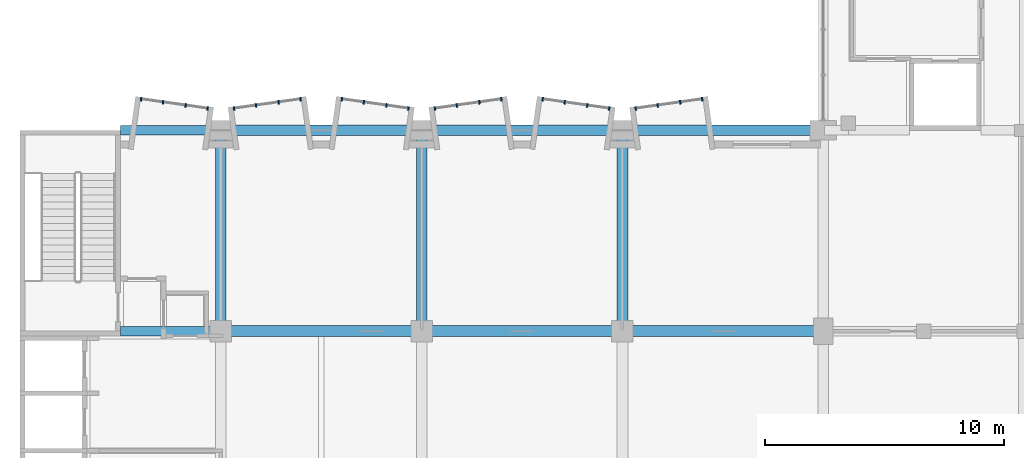
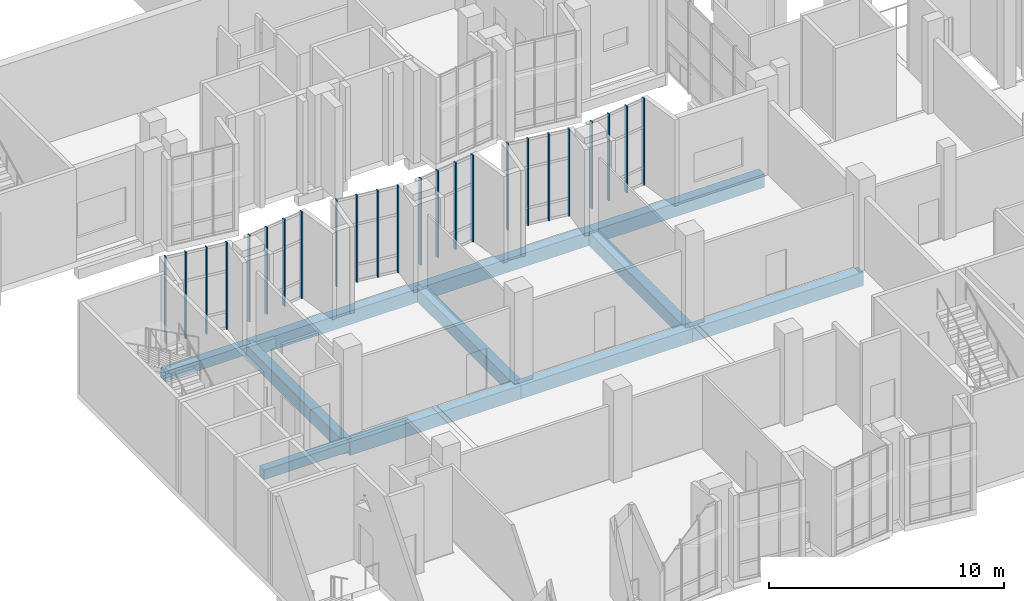
# One storey, part 4 of 91: 24 members, 11 beams, 6 elements without a shape of their own.
"""IFC4 building model written with IfcOpenShell, lengths in metres."""

from ifc_helpers import new_model, si_unit, direction, frame, origin, origin_2d, place, context, subcontext, project, spatial, rectangle, extrude, material, layer, layer_set, material_profile, profile_set, type_object, element, aggregate, save


model = new_model("IFC4")

# Units and contexts
model_context = context("Model", 3, precision=1e-05, world=origin(), true_north=direction((0.0, 1.0)))
body_context = subcontext(model_context, "Body", "Model", "MODEL_VIEW")
ifc_project = project(units=[si_unit("LENGTHUNIT", "METRE"), si_unit("AREAUNIT", "SQUARE_METRE"), si_unit("VOLUMEUNIT", "CUBIC_METRE"), si_unit("PLANEANGLEUNIT", "RADIAN"), si_unit("MASSUNIT", "GRAM", prefix="KILO")], contexts=[model_context])

# Site, building, storey
site_placement = place(None, origin())
site = spatial("IfcSite", under=ifc_project, at=site_placement, CompositionType="ELEMENT")
building_placement = place(site_placement, origin())
building = spatial("IfcBuilding", under=site, at=building_placement, Name="Kiln Court Media Centre", CompositionType="ELEMENT")
storey_placement = place(building_placement, frame((0.0, 0.0, 5.39990234375)))
storey = spatial("IfcBuildingStorey", under=building, at=storey_placement, Name="L01", CompositionType="ELEMENT", Elevation=5.39990234375)

# Curtain wall, members
ifc_material_1 = material(Name="Aluminium 6063-T6", Category="aluminium")
ifc_layer = layer(ifc_material_1, 0.1201171875)
ifc_layer_set = layer_set([ifc_layer], Name="Aluminium unitised bay curtain wall")
curtain_wall_type = type_object("IfcCurtainWallType", Name="Aluminium unitised bay curtain wall", PredefinedType="USERDEFINED", material=ifc_layer_set)
curtain_wall_1_placement = place(storey_placement, origin())
curtain_wall_1 = element("IfcCurtainWall", 1, at=curtain_wall_1_placement, inside=storey, type_object=curtain_wall_type, Name="BAY V6A-N-L01-02 front", ObjectType="UNITISED CURTAIN WALL", PredefinedType="USERDEFINED")
ifc_material_2 = material(Name="Aluminium 6063-T6", Category="aluminium")
ifc_material_profile_1 = material_profile(ifc_material_2, rectangle(XDim=0.06005859375, YDim=0.159912109375, at=origin_2d()), Name="Aluminium mullion 60x160")
ifc_profile_set_1 = profile_set([ifc_material_profile_1], Name="Aluminium 6063-T6")
member_type = type_object("IfcMemberType", Name="Aluminium mullion 60x160", PredefinedType="MULLION", material=ifc_profile_set_1)
member_1_placement = place(storey_placement, frame((5.064453125, 26.504638671875, 0.0), z_axis=(0.0, 0.0, 1.0), x_axis=(0.990269562409, -0.139162472554, 0.0)))
member_1 = element("IfcMember", 2, at=member_1_placement, type_object=member_type, Name="CW1-04 mullion 1", PredefinedType="MULLION", context=body_context, shape_type="SweptSolid", body=[
    extrude(rectangle(XDim=0.06005859375, YDim=0.159912109375, at=origin_2d()), origin(), (0.0, 0.0, 1.0), 4.5),
])
member_2_placement = place(storey_placement, frame((5.982177734375, 26.375732421875, 0.0), z_axis=(0.0, 0.0, 1.0), x_axis=(0.990269562409, -0.139162472554, 0.0)))
member_2 = element("IfcMember", 3, at=member_2_placement, type_object=member_type, Name="CW1-04 mullion 2", PredefinedType="MULLION", context=body_context, shape_type="SweptSolid", body=[
    extrude(rectangle(XDim=0.06005859375, YDim=0.159912109375, at=origin_2d()), origin(), (0.0, 0.0, 1.0), 4.5),
])
member_3_placement = place(storey_placement, frame((6.929443359375, 26.242431640625, 0.0), z_axis=(0.0, 0.0, 1.0), x_axis=(0.990269562409, -0.139162472554, 0.0)))
member_3 = element("IfcMember", 4, at=member_3_placement, type_object=member_type, Name="CW1-04 mullion 3", PredefinedType="MULLION", context=body_context, shape_type="SweptSolid", body=[
    extrude(rectangle(XDim=0.06005859375, YDim=0.159912109375, at=origin_2d()), origin(), (0.0, 0.0, 1.0), 4.5),
])
member_4_placement = place(storey_placement, frame((7.84716796875, 26.113525390625, 0.0), z_axis=(0.0, 0.0, 1.0), x_axis=(0.990269562409, -0.139162472554, 0.0)))
member_4 = element("IfcMember", 5, at=member_4_placement, type_object=member_type, Name="CW1-04 mullion 4", PredefinedType="MULLION", context=body_context, shape_type="SweptSolid", body=[
    extrude(rectangle(XDim=0.06005859375, YDim=0.159912109375, at=origin_2d()), origin(), (0.0, 0.0, 1.0), 4.5),
])
aggregate(curtain_wall_1, [member_1, member_2, member_3, member_4])

curtain_wall_2_placement = place(storey_placement, origin())
curtain_wall_2 = element("IfcCurtainWall", 6, at=curtain_wall_2_placement, inside=storey, type_object=curtain_wall_type, Name="BAY V6A-N-L01-03 front", ObjectType="UNITISED CURTAIN WALL", PredefinedType="USERDEFINED")
member_5_placement = place(storey_placement, frame((8.952880859375, 26.113525390625, 0.0), z_axis=(0.0, 0.0, 1.0), x_axis=(0.990269562409, 0.139162472554, 0.0)))
member_5 = element("IfcMember", 7, at=member_5_placement, type_object=member_type, Name="CW1-05 mullion 1", PredefinedType="MULLION", context=body_context, shape_type="SweptSolid", body=[
    extrude(rectangle(XDim=0.06005859375, YDim=0.159912109375, at=origin_2d()), origin(), (0.0, 0.0, 1.0), 4.5),
])
member_6_placement = place(storey_placement, frame((9.870361328125, 26.242431640625, 0.0), z_axis=(0.0, 0.0, 1.0), x_axis=(0.990269562409, 0.139162472554, 0.0)))
member_6 = element("IfcMember", 8, at=member_6_placement, type_object=member_type, Name="CW1-05 mullion 2", PredefinedType="MULLION", context=body_context, shape_type="SweptSolid", body=[
    extrude(rectangle(XDim=0.06005859375, YDim=0.159912109375, at=origin_2d()), origin(), (0.0, 0.0, 1.0), 4.5),
])
member_7_placement = place(storey_placement, frame((10.81787109375, 26.375732421875, 0.0), z_axis=(0.0, 0.0, 1.0), x_axis=(0.990269562409, 0.139162472554, 0.0)))
member_7 = element("IfcMember", 9, at=member_7_placement, type_object=member_type, Name="CW1-05 mullion 3", PredefinedType="MULLION", context=body_context, shape_type="SweptSolid", body=[
    extrude(rectangle(XDim=0.06005859375, YDim=0.159912109375, at=origin_2d()), origin(), (0.0, 0.0, 1.0), 4.5),
])
member_8_placement = place(storey_placement, frame((11.735595703125, 26.504638671875, 0.0), z_axis=(0.0, 0.0, 1.0), x_axis=(0.990269562409, 0.139162472554, 0.0)))
member_8 = element("IfcMember", 10, at=member_8_placement, type_object=member_type, Name="CW1-05 mullion 4", PredefinedType="MULLION", context=body_context, shape_type="SweptSolid", body=[
    extrude(rectangle(XDim=0.06005859375, YDim=0.159912109375, at=origin_2d()), origin(), (0.0, 0.0, 1.0), 4.5),
])
aggregate(curtain_wall_2, [member_5, member_6, member_7, member_8])

curtain_wall_3_placement = place(storey_placement, origin())
curtain_wall_3 = element("IfcCurtainWall", 11, at=curtain_wall_3_placement, inside=storey, type_object=curtain_wall_type, Name="BAY V6A-N-L01-04 front", ObjectType="UNITISED CURTAIN WALL", PredefinedType="USERDEFINED")
member_9_placement = place(storey_placement, frame((13.464599609375, 26.504638671875, 0.0), z_axis=(0.0, 0.0, 1.0), x_axis=(0.990269562409, -0.139162472554, 0.0)))
member_9 = element("IfcMember", 12, at=member_9_placement, type_object=member_type, Name="CW1-06 mullion 1", PredefinedType="MULLION", context=body_context, shape_type="SweptSolid", body=[
    extrude(rectangle(XDim=0.06005859375, YDim=0.159912109375, at=origin_2d()), origin(), (0.0, 0.0, 1.0), 4.5),
])
member_10_placement = place(storey_placement, frame((14.382080078125, 26.375732421875, 0.0), z_axis=(0.0, 0.0, 1.0), x_axis=(0.990269562409, -0.139162472554, 0.0)))
member_10 = element("IfcMember", 13, at=member_10_placement, type_object=member_type, Name="CW1-06 mullion 2", PredefinedType="MULLION", context=body_context, shape_type="SweptSolid", body=[
    extrude(rectangle(XDim=0.06005859375, YDim=0.159912109375, at=origin_2d()), origin(), (0.0, 0.0, 1.0), 4.5),
])
member_11_placement = place(storey_placement, frame((15.32958984375, 26.242431640625, 0.0), z_axis=(0.0, 0.0, 1.0), x_axis=(0.990269562409, -0.139162472554, 0.0)))
member_11 = element("IfcMember", 14, at=member_11_placement, type_object=member_type, Name="CW1-06 mullion 3", PredefinedType="MULLION", context=body_context, shape_type="SweptSolid", body=[
    extrude(rectangle(XDim=0.06005859375, YDim=0.159912109375, at=origin_2d()), origin(), (0.0, 0.0, 1.0), 4.5),
])
member_12_placement = place(storey_placement, frame((16.2470703125, 26.113525390625, 0.0), z_axis=(0.0, 0.0, 1.0), x_axis=(0.990269562409, -0.139162472554, 0.0)))
member_12 = element("IfcMember", 15, at=member_12_placement, type_object=member_type, Name="CW1-06 mullion 4", PredefinedType="MULLION", context=body_context, shape_type="SweptSolid", body=[
    extrude(rectangle(XDim=0.06005859375, YDim=0.159912109375, at=origin_2d()), origin(), (0.0, 0.0, 1.0), 4.5),
])
aggregate(curtain_wall_3, [member_9, member_10, member_11, member_12])

curtain_wall_4_placement = place(storey_placement, origin())
curtain_wall_4 = element("IfcCurtainWall", 16, at=curtain_wall_4_placement, inside=storey, type_object=curtain_wall_type, Name="BAY V6A-N-L01-05 front", ObjectType="UNITISED CURTAIN WALL", PredefinedType="USERDEFINED")
member_13_placement = place(storey_placement, frame((17.352783203125, 26.113525390625, 0.0), z_axis=(0.0, 0.0, 1.0), x_axis=(0.990269562409, 0.139162472554, 0.0)))
member_13 = element("IfcMember", 17, at=member_13_placement, type_object=member_type, Name="CW1-07 mullion 1", PredefinedType="MULLION", context=body_context, shape_type="SweptSolid", body=[
    extrude(rectangle(XDim=0.06005859375, YDim=0.159912109375, at=origin_2d()), origin(), (0.0, 0.0, 1.0), 4.5),
])
member_14_placement = place(storey_placement, frame((18.2705078125, 26.242431640625, 0.0), z_axis=(0.0, 0.0, 1.0), x_axis=(0.990269562409, 0.139162472554, 0.0)))
member_14 = element("IfcMember", 18, at=member_14_placement, type_object=member_type, Name="CW1-07 mullion 2", PredefinedType="MULLION", context=body_context, shape_type="SweptSolid", body=[
    extrude(rectangle(XDim=0.06005859375, YDim=0.159912109375, at=origin_2d()), origin(), (0.0, 0.0, 1.0), 4.5),
])
member_15_placement = place(storey_placement, frame((19.2177734375, 26.375732421875, 0.0), z_axis=(0.0, 0.0, 1.0), x_axis=(0.990269562409, 0.139162472554, 0.0)))
member_15 = element("IfcMember", 19, at=member_15_placement, type_object=member_type, Name="CW1-07 mullion 3", PredefinedType="MULLION", context=body_context, shape_type="SweptSolid", body=[
    extrude(rectangle(XDim=0.06005859375, YDim=0.159912109375, at=origin_2d()), origin(), (0.0, 0.0, 1.0), 4.5),
])
member_16_placement = place(storey_placement, frame((20.135498046875, 26.504638671875, 0.0), z_axis=(0.0, 0.0, 1.0), x_axis=(0.990269562409, 0.139162472554, 0.0)))
member_16 = element("IfcMember", 20, at=member_16_placement, type_object=member_type, Name="CW1-07 mullion 4", PredefinedType="MULLION", context=body_context, shape_type="SweptSolid", body=[
    extrude(rectangle(XDim=0.06005859375, YDim=0.159912109375, at=origin_2d()), origin(), (0.0, 0.0, 1.0), 4.5),
])
aggregate(curtain_wall_4, [member_13, member_14, member_15, member_16])

curtain_wall_5_placement = place(storey_placement, origin())
curtain_wall_5 = element("IfcCurtainWall", 21, at=curtain_wall_5_placement, inside=storey, type_object=curtain_wall_type, Name="BAY V6A-N-L01-06 front", ObjectType="UNITISED CURTAIN WALL", PredefinedType="USERDEFINED")
member_17_placement = place(storey_placement, frame((21.864501953125, 26.504638671875, 0.0), z_axis=(0.0, 0.0, 1.0), x_axis=(0.990269562409, -0.139162472554, 0.0)))
member_17 = element("IfcMember", 22, at=member_17_placement, type_object=member_type, Name="CW1-08 mullion 1", PredefinedType="MULLION", context=body_context, shape_type="SweptSolid", body=[
    extrude(rectangle(XDim=0.06005859375, YDim=0.159912109375, at=origin_2d()), origin(), (0.0, 0.0, 1.0), 4.5),
])
member_18_placement = place(storey_placement, frame((22.7822265625, 26.375732421875, 0.0), z_axis=(0.0, 0.0, 1.0), x_axis=(0.990269562409, -0.139162472554, 0.0)))
member_18 = element("IfcMember", 23, at=member_18_placement, type_object=member_type, Name="CW1-08 mullion 2", PredefinedType="MULLION", context=body_context, shape_type="SweptSolid", body=[
    extrude(rectangle(XDim=0.06005859375, YDim=0.159912109375, at=origin_2d()), origin(), (0.0, 0.0, 1.0), 4.5),
])
member_19_placement = place(storey_placement, frame((23.7294921875, 26.242431640625, 0.0), z_axis=(0.0, 0.0, 1.0), x_axis=(0.990269562409, -0.139162472554, 0.0)))
member_19 = element("IfcMember", 24, at=member_19_placement, type_object=member_type, Name="CW1-08 mullion 3", PredefinedType="MULLION", context=body_context, shape_type="SweptSolid", body=[
    extrude(rectangle(XDim=0.06005859375, YDim=0.159912109375, at=origin_2d()), origin(), (0.0, 0.0, 1.0), 4.5),
])
member_20_placement = place(storey_placement, frame((24.647216796875, 26.113525390625, 0.0), z_axis=(0.0, 0.0, 1.0), x_axis=(0.990269562409, -0.139162472554, 0.0)))
member_20 = element("IfcMember", 25, at=member_20_placement, type_object=member_type, Name="CW1-08 mullion 4", PredefinedType="MULLION", context=body_context, shape_type="SweptSolid", body=[
    extrude(rectangle(XDim=0.06005859375, YDim=0.159912109375, at=origin_2d()), origin(), (0.0, 0.0, 1.0), 4.5),
])
aggregate(curtain_wall_5, [member_17, member_18, member_19, member_20])

curtain_wall_6_placement = place(storey_placement, origin())
curtain_wall_6 = element("IfcCurtainWall", 26, at=curtain_wall_6_placement, inside=storey, type_object=curtain_wall_type, Name="BAY V6A-N-L01-07 front", ObjectType="UNITISED CURTAIN WALL", PredefinedType="USERDEFINED")
member_21_placement = place(storey_placement, frame((25.7529296875, 26.113525390625, 0.0), z_axis=(0.0, 0.0, 1.0), x_axis=(0.990269562409, 0.139162472554, 0.0)))
member_21 = element("IfcMember", 27, at=member_21_placement, type_object=member_type, Name="CW1-09 mullion 1", PredefinedType="MULLION", context=body_context, shape_type="SweptSolid", body=[
    extrude(rectangle(XDim=0.06005859375, YDim=0.159912109375, at=origin_2d()), origin(), (0.0, 0.0, 1.0), 4.5),
])
member_22_placement = place(storey_placement, frame((26.67041015625, 26.242431640625, 0.0), z_axis=(0.0, 0.0, 1.0), x_axis=(0.990269562409, 0.139162472554, 0.0)))
member_22 = element("IfcMember", 28, at=member_22_placement, type_object=member_type, Name="CW1-09 mullion 2", PredefinedType="MULLION", context=body_context, shape_type="SweptSolid", body=[
    extrude(rectangle(XDim=0.06005859375, YDim=0.159912109375, at=origin_2d()), origin(), (0.0, 0.0, 1.0), 4.5),
])
member_23_placement = place(storey_placement, frame((27.617919921875, 26.375732421875, 0.0), z_axis=(0.0, 0.0, 1.0), x_axis=(0.990269562409, 0.139162472554, 0.0)))
member_23 = element("IfcMember", 29, at=member_23_placement, type_object=member_type, Name="CW1-09 mullion 3", PredefinedType="MULLION", context=body_context, shape_type="SweptSolid", body=[
    extrude(rectangle(XDim=0.06005859375, YDim=0.159912109375, at=origin_2d()), origin(), (0.0, 0.0, 1.0), 4.5),
])
member_24_placement = place(storey_placement, frame((28.535400390625, 26.504638671875, 0.0), z_axis=(0.0, 0.0, 1.0), x_axis=(0.990269562409, 0.139162472554, 0.0)))
member_24 = element("IfcMember", 30, at=member_24_placement, type_object=member_type, Name="CW1-09 mullion 4", PredefinedType="MULLION", context=body_context, shape_type="SweptSolid", body=[
    extrude(rectangle(XDim=0.06005859375, YDim=0.159912109375, at=origin_2d()), origin(), (0.0, 0.0, 1.0), 4.5),
])
aggregate(curtain_wall_6, [member_21, member_22, member_23, member_24])

# Beams
ifc_material_3 = material(Name="Concrete C30/37", Category="concrete")
ifc_material_profile_2 = material_profile(ifc_material_3, rectangle(XDim=0.39990234375, YDim=0.5, at=origin_2d()), Name="RC 400x500")
ifc_profile_set_2 = profile_set([ifc_material_profile_2], Name="Concrete C30/37")
beam_type_1 = type_object("IfcBeamType", Name="Concrete C30/37 beam 400x500", PredefinedType="BEAM", material=ifc_profile_set_2)
for number, where, z_axis, x_axis, name in (
    (31, (4.199951171875, 16.800048828125, -0.5498046875), (1.0, 0.0, 0.0), (0.0, 1.0, 0.0), "L01-B-1020"),
    (32, (4.199951171875, 25.199951171875, -0.5498046875), (1.0, 0.0, 0.0), (0.0, 1.0, 0.0), "L01-B-1024"),
):
    element("IfcBeam", number, at=place(storey_placement, frame(where, z_axis=z_axis, x_axis=x_axis)), inside=storey, type_object=beam_type_1, Name=name, PredefinedType="BEAM", context=body_context, shape_type="SweptSolid", body=[
        extrude(rectangle(XDim=0.39990234375, YDim=0.5, at=origin_2d()), origin(), (0.0, 0.0, 1.0), 4.199951171875),
    ])
ifc_material_4 = material(Name="Concrete C30/37", Category="concrete")
ifc_material_profile_3 = material_profile(ifc_material_4, rectangle(XDim=0.449951171875, YDim=0.699951171875, at=origin_2d()), Name="RC 450x700")
ifc_profile_set_3 = profile_set([ifc_material_profile_3], Name="Concrete C30/37")
beam_type_2 = type_object("IfcBeamType", Name="Concrete C30/37 beam 450x700", PredefinedType="BEAM", material=ifc_profile_set_3)
for number, where, z_axis, x_axis, name in (
    (33, (8.39990234375, 16.800048828125, -0.64990234375), (0.0, 1.0, 0.0), (-1.0, 0.0, 0.0), "L01-B-1002"),
    (34, (16.800048828125, 16.800048828125, -0.64990234375), (0.0, 1.0, 0.0), (-1.0, 0.0, 0.0), "L01-B-1005"),
    (35, (25.199951171875, 16.800048828125, -0.64990234375), (0.0, 1.0, 0.0), (-1.0, 0.0, 0.0), "L01-B-1008"),
):
    element("IfcBeam", number, at=place(storey_placement, frame(where, z_axis=z_axis, x_axis=x_axis)), inside=storey, type_object=beam_type_2, Name=name, PredefinedType="BEAM", context=body_context, shape_type="SweptSolid", body=[
        extrude(rectangle(XDim=0.449951171875, YDim=0.699951171875, at=origin_2d()), origin(), (0.0, 0.0, 1.0), 8.39990234375),
    ])
beam_1_placement = place(storey_placement, frame((8.39990234375, 16.800048828125, -0.64990234375), z_axis=(1.0, 0.0, 0.0), x_axis=(0.0, 1.0, 0.0)))
element("IfcBeam", 36, at=beam_1_placement, inside=storey, type_object=beam_type_2, Name="L01-B-1021", PredefinedType="BEAM", context=body_context, shape_type="SweptSolid", body=[
    extrude(rectangle(XDim=0.449951171875, YDim=0.699951171875, at=origin_2d()), origin(), (0.0, 0.0, 1.0), 8.400146484375),
])
beam_2_placement = place(storey_placement, frame((16.800048828125, 16.800048828125, -0.64990234375), z_axis=(1.0, 0.0, 0.0), x_axis=(0.0, 1.0, 0.0)))
element("IfcBeam", 37, at=beam_2_placement, inside=storey, type_object=beam_type_2, Name="L01-B-1022", PredefinedType="BEAM", context=body_context, shape_type="SweptSolid", body=[
    extrude(rectangle(XDim=0.449951171875, YDim=0.699951171875, at=origin_2d()), origin(), (0.0, 0.0, 1.0), 8.39990234375),
])
for number, where, z_axis, x_axis, name in (
    (38, (25.199951171875, 16.800048828125, -0.64990234375), (1.0, 0.0, 0.0), (0.0, 1.0, 0.0), "L01-B-1023"),
    (39, (8.39990234375, 25.199951171875, -0.64990234375), (1.0, 0.0, 0.0), (0.0, 1.0, 0.0), "L01-B-1025"),
):
    element("IfcBeam", number, at=place(storey_placement, frame(where, z_axis=z_axis, x_axis=x_axis)), inside=storey, type_object=beam_type_2, Name=name, PredefinedType="BEAM", context=body_context, shape_type="SweptSolid", body=[
        extrude(rectangle(XDim=0.449951171875, YDim=0.699951171875, at=origin_2d()), origin(), (0.0, 0.0, 1.0), 8.400146484375),
    ])
beam_3_placement = place(storey_placement, frame((16.800048828125, 25.199951171875, -0.64990234375), z_axis=(1.0, 0.0, 0.0), x_axis=(0.0, 1.0, 0.0)))
element("IfcBeam", 40, at=beam_3_placement, inside=storey, type_object=beam_type_2, Name="L01-B-1026", PredefinedType="BEAM", context=body_context, shape_type="SweptSolid", body=[
    extrude(rectangle(XDim=0.449951171875, YDim=0.699951171875, at=origin_2d()), origin(), (0.0, 0.0, 1.0), 8.39990234375),
])
beam_4_placement = place(storey_placement, frame((25.199951171875, 25.199951171875, -0.64990234375), z_axis=(1.0, 0.0, 0.0), x_axis=(0.0, 1.0, 0.0)))
element("IfcBeam", 41, at=beam_4_placement, inside=storey, type_object=beam_type_2, Name="L01-B-1027", PredefinedType="BEAM", context=body_context, shape_type="SweptSolid", body=[
    extrude(rectangle(XDim=0.449951171875, YDim=0.699951171875, at=origin_2d()), origin(), (0.0, 0.0, 1.0), 8.400146484375),
])

save(model, "model.ifc")
